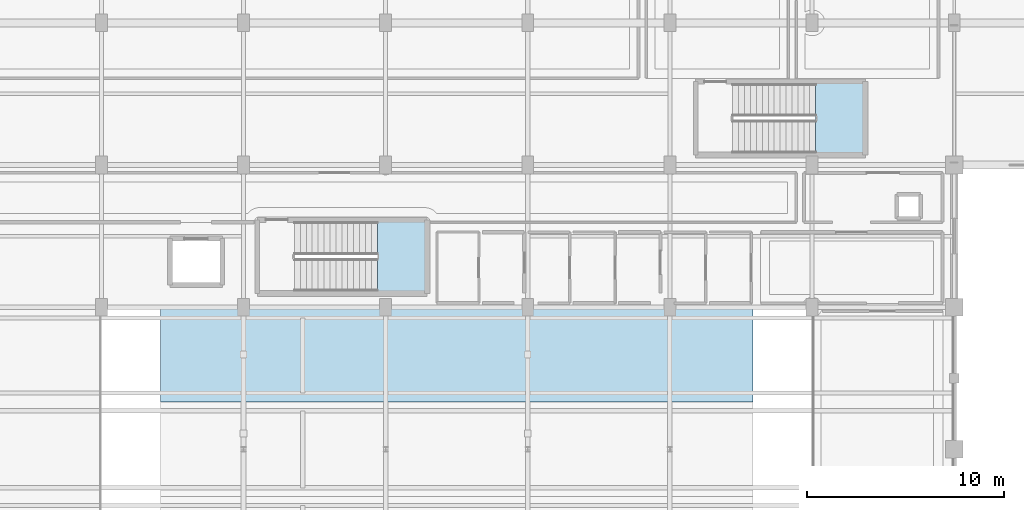
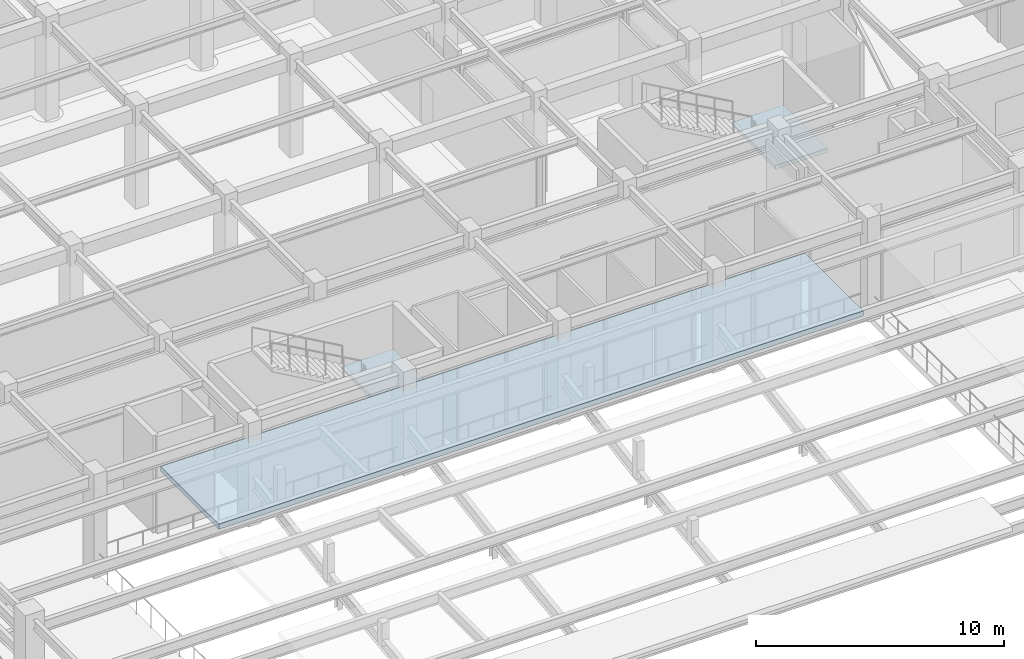
# One storey, part 69 of 117: 3 slabs, 2 elements without a shape of their own.
"""IFC4 building model written with IfcOpenShell, lengths in metres."""

from ifc_helpers import new_model, si_unit, direction, frame, origin, place, context, subcontext, project, spatial, polyline, outline, extrude, material, layer, layer_set, type_object, element, aggregate, save


model = new_model("IFC4")

# Units and contexts
model_context = context("Model", 3, precision=1e-05, world=origin(), true_north=direction((0.0, 1.0)))
body_context = subcontext(model_context, "Body", "Model", "MODEL_VIEW")
ifc_project = project(units=[si_unit("LENGTHUNIT", "METRE"), si_unit("AREAUNIT", "SQUARE_METRE"), si_unit("VOLUMEUNIT", "CUBIC_METRE"), si_unit("PLANEANGLEUNIT", "RADIAN"), si_unit("MASSUNIT", "GRAM", prefix="KILO")], contexts=[model_context])

# Site, building, storey
site_placement = place(None, origin())
site = spatial("IfcSite", under=ifc_project, at=site_placement, CompositionType="ELEMENT")
building_placement = place(site_placement, origin())
building = spatial("IfcBuilding", under=site, at=building_placement, Name="Carrowvane Square Congress Hotel", CompositionType="ELEMENT")
storey_placement = place(building_placement, frame((0.0, 0.0, 5.39990234375)))
storey = spatial("IfcBuildingStorey", under=building, at=storey_placement, Name="L01", CompositionType="ELEMENT", Elevation=5.39990234375)

# Stair, slab
ifc_material_1 = material(Name="Concrete C35/45", Category="concrete")
stair_type = type_object("IfcStairType", Name="STR-DOG-10", PredefinedType="HALF_TURN_STAIR", material=ifc_material_1)
stair_1_placement = place(storey_placement, origin())
stair_1 = element("IfcStair", 1, at=stair_1_placement, inside=storey, type_object=stair_type, Name="L01 Plenary North-West Escape Stair", PredefinedType="HALF_TURN_STAIR")
ifc_material_2 = material(Name="Concrete C35/45", Category="concrete")
ifc_layer_1 = layer(ifc_material_2, 0.199951171875)
ifc_layer_set_1 = layer_set([ifc_layer_1], Name="Concrete C35/45")
slab_type_1 = type_object("IfcSlabType", Name="SLB-LND-200", PredefinedType="LANDING", material=ifc_layer_set_1)
slab_1_placement = place(storey_placement, frame((0.0, 0.0, 2.35009765625)))
slab_1 = element("IfcSlab", 2, at=slab_1_placement, type_object=slab_type_1, Name="ST6 landing 1", PredefinedType="LANDING", context=body_context, shape_type="SweptSolid", body=[
    extrude(outline(polyline([(32.780029296875, 49.39990234375), (35.199951171875, 49.39990234375), (35.199951171875, 52.919921875), (32.780029296875, 52.919921875), (32.780029296875, 49.39990234375)])), origin(), (0.0, 0.0, 1.0), 0.199951171875),
])
aggregate(stair_1, [slab_1])

stair_2_placement = place(storey_placement, origin())
stair_2 = element("IfcStair", 3, at=stair_2_placement, inside=storey, type_object=stair_type, Name="L01 Spa Courtyard Escape Stair", PredefinedType="HALF_TURN_STAIR")
slab_2_placement = place(storey_placement, frame((0.0, 0.0, 2.35009765625)))
slab_2 = element("IfcSlab", 4, at=slab_2_placement, type_object=slab_type_1, Name="ST7 landing 1", PredefinedType="LANDING", context=body_context, shape_type="SweptSolid", body=[
    extrude(outline(polyline([(54.97998046875, 56.39990234375), (57.39990234375, 56.39990234375), (57.39990234375, 59.919921875), (54.97998046875, 59.919921875), (54.97998046875, 56.39990234375)])), origin(), (0.0, 0.0, 1.0), 0.199951171875),
])
aggregate(stair_2, [slab_2])

# Slab
ifc_material_3 = material(Name="Precast concrete C40/50", Category="concrete")
ifc_layer_2 = layer(ifc_material_3, 0.159912109375)
ifc_layer_set_2 = layer_set([ifc_layer_2], Name="Precast concrete C40/50")
slab_type_2 = type_object("IfcSlabType", Name="SLB-TIER-160", PredefinedType="USERDEFINED", material=ifc_layer_set_2)
slab_3_placement = place(storey_placement, frame((0.0, 0.0, 3.900146484375)))
element("IfcSlab", 5, at=slab_3_placement, inside=storey, type_object=slab_type_2, Name="L01 Congress circle seating tier 3", ObjectType="SEATING TIER", PredefinedType="USERDEFINED", context=body_context, shape_type="SweptSolid", body=[
    extrude(outline(polyline([(21.800048828125, 43.800048828125), (51.800048828125, 43.800048828125), (51.800048828125, 48.5), (21.800048828125, 48.5), (21.800048828125, 43.800048828125)])), origin(), (0.0, 0.0, 1.0), 0.25),
])

save(model, "model.ifc")
